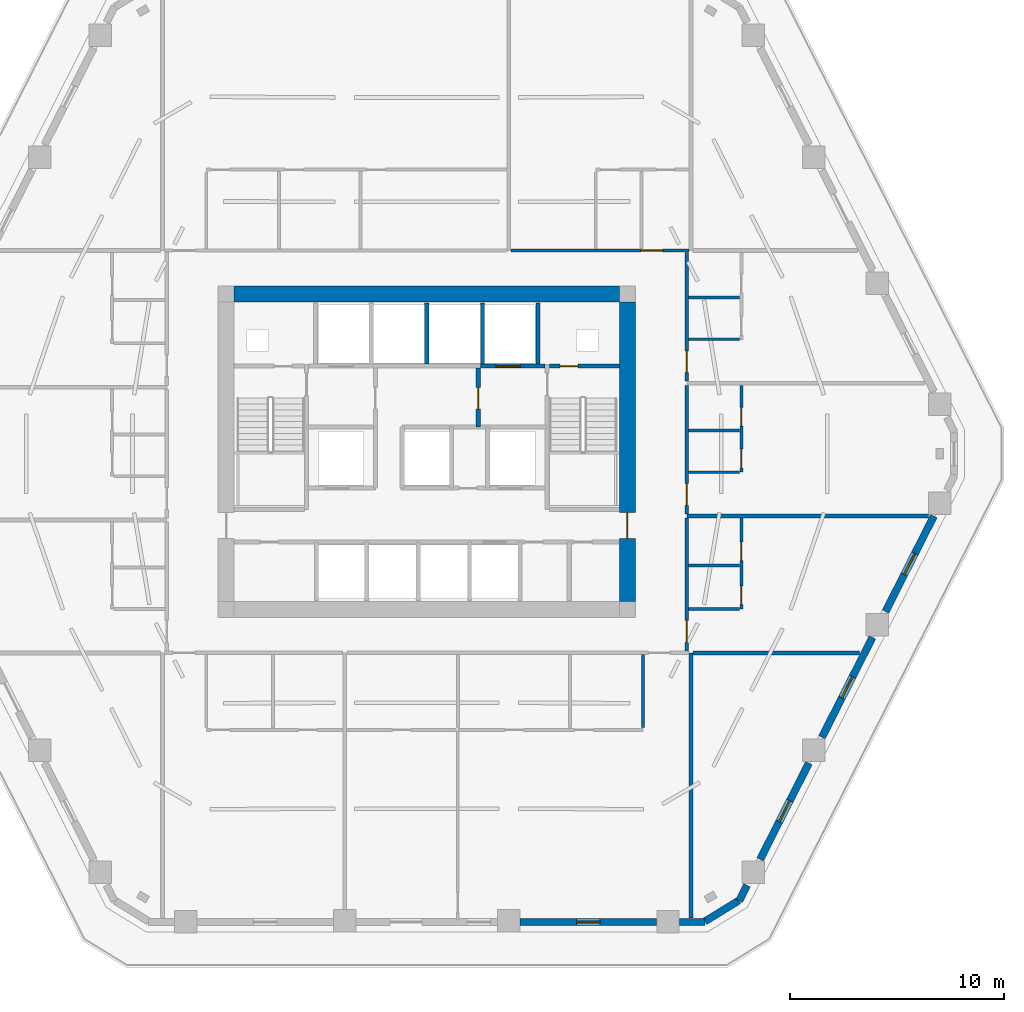
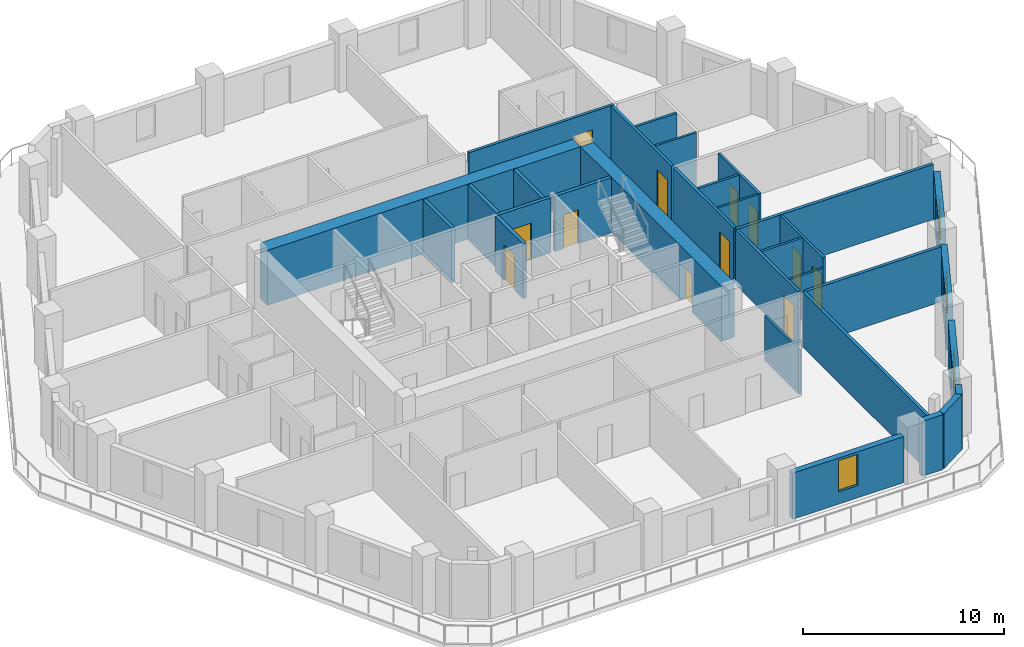
# One storey, part 5 of 10: 31 walls, 12 doors, 4 windows, 16 openings.
"""IFC4 building model written with IfcOpenShell, lengths in metres."""

from ifc_helpers import new_model, si_unit, direction, frame, frame_2d, origin, place, context, subcontext, project, spatial, rectangle, extrude, material, layer, layer_set, type_object, element, fill, save


model = new_model("IFC4")

# Units and contexts
model_context = context("Model", 3, precision=1e-05, world=origin(), true_north=direction((0.0, 1.0)))
body_context = subcontext(model_context, "Body", "Model", "MODEL_VIEW")
ifc_project = project(units=[si_unit("LENGTHUNIT", "METRE"), si_unit("AREAUNIT", "SQUARE_METRE"), si_unit("VOLUMEUNIT", "CUBIC_METRE"), si_unit("PLANEANGLEUNIT", "RADIAN"), si_unit("MASSUNIT", "GRAM", prefix="KILO")], contexts=[model_context])

# Site, building, storey
site_placement = place(None, origin())
site = spatial("IfcSite", under=ifc_project, at=site_placement, CompositionType="ELEMENT")
building_placement = place(site_placement, origin())
building = spatial("IfcBuilding", under=site, at=building_placement, Name="Cinnabar Lancet Tower", CompositionType="ELEMENT")
storey_placement = place(building_placement, frame((0.0, 0.0, 98.39990234375)))
storey = spatial("IfcBuildingStorey", under=building, at=storey_placement, Name="L25", CompositionType="ELEMENT", Elevation=98.39990234375)

# Wall, opening, door
ifc_material_1 = material(Name="Acoustic twin-stud gypsum partition", Category="gypsum")
ifc_layer_1 = layer(ifc_material_1, 0.159912109375)
ifc_layer_set_1 = layer_set([ifc_layer_1], Name="Acoustic twin-stud gypsum partition")
wall_type_1 = type_object("IfcWallType", Name="ARC-WL-CORR-160", PredefinedType="PARTITIONING", material=ifc_layer_set_1)
wall_1_placement = place(storey_placement, frame((36.326904296875, 35.300048828125, 0.0), z_axis=(0.0, 0.0, 1.0), x_axis=(1.0, 0.0, 0.0)))
wall_1 = element("IfcWall", 1, at=wall_1_placement, inside=storey, type_object=wall_type_1, Name="L25 Unit N02 Corridor Wall", PredefinedType="PARTITIONING", context=body_context, shape_type="SweptSolid", body=[
    extrude(rectangle(XDim=8.328125, YDim=0.159912109375, at=frame_2d((4.1640625, 0.0))), origin(), (0.0, 0.0, 1.0), 3.340087890625),
])
opening_1_placement = place(wall_1_placement, frame((6.072998046875, 0.0, 0.0)))
opening_1 = element("IfcOpeningElement", 2, at=opening_1_placement, cuts=wall_1, Name="Opening UD-01", PredefinedType="OPENING", context=body_context, shape_type="SweptSolid", body=[
    extrude(rectangle(XDim=1.02001953125, YDim=2.25, at=frame_2d((0.510009765625, 1.125))), frame((0.0, 0.08984375, 0.0), z_axis=(0.0, -1.0, 0.0), x_axis=(1.0, 0.0, 0.0)), (0.0, 0.0, 1.0), 0.179931640625),
])
ifc_material_2 = material(Name="Solid timber fire-rated apartment entrance door", Category="wood")
door_type_1 = type_object("IfcDoorType", Name="ARC-DR-UNIT", OperationType="NOTDEFINED", PredefinedType="DOOR", material=ifc_material_2)
door_1_placement = place(opening_1_placement, origin())
door_1 = element("IfcDoor", 3, at=door_1_placement, inside=storey, type_object=door_type_1, Name="DR-L25-N02-ENT", OperationType="SINGLE_SWING_RIGHT", OverallHeight=2.25, OverallWidth=1.02001953125, PredefinedType="DOOR", context=body_context, shape_type="SweptSolid", body=[
    extrude(rectangle(XDim=1.02001953125, YDim=2.25, at=frame_2d((0.510009765625, 1.125))), frame((0.0, 0.02490234375, 0.0), z_axis=(0.0, -1.0, 0.0), x_axis=(1.0, 0.0, 0.0)), (0.0, 0.0, 1.0), 0.050048828125),
])
fill(opening_1, door_1)

wall_2_placement = place(storey_placement, frame((44.550048828125, 16.594970703125, 0.0), z_axis=(0.0, 0.0, 1.0), x_axis=(0.0, 1.0, 0.0)))
wall_2 = element("IfcWall", 4, at=wall_2_placement, inside=storey, type_object=wall_type_1, Name="UW-L25-E01-COR", PredefinedType="PARTITIONING", context=body_context, shape_type="SweptSolid", body=[
    extrude(rectangle(XDim=6.2021484375, YDim=0.159912109375, at=frame_2d((3.10107421875, 0.0))), origin(), (0.0, 0.0, 1.0), 3.340087890625),
])
opening_2_placement = place(wall_2_placement, frame((0.39990234375, 0.0, 0.0)))
opening_2 = element("IfcOpeningElement", 5, at=opening_2_placement, cuts=wall_2, Name="Opening UD-01", PredefinedType="OPENING", context=body_context, shape_type="SweptSolid", body=[
    extrude(rectangle(XDim=1.02001953125, YDim=2.25, at=frame_2d((0.510009765625, 1.125))), frame((0.0, 0.08984375, 0.0), z_axis=(0.0, -1.0, 0.0), x_axis=(1.0, 0.0, 0.0)), (0.0, 0.0, 1.0), 0.179931640625),
])
door_2_placement = place(opening_2_placement, origin())
door_2 = element("IfcDoor", 6, at=door_2_placement, inside=storey, type_object=door_type_1, Name="DR-L25-E01-ENT", OperationType="SINGLE_SWING_LEFT", OverallHeight=2.25, OverallWidth=1.02001953125, PredefinedType="DOOR", context=body_context, shape_type="SweptSolid", body=[
    extrude(rectangle(XDim=1.02001953125, YDim=2.25, at=frame_2d((0.510009765625, 1.125))), frame((0.0, 0.02490234375, 0.0), z_axis=(0.0, -1.0, 0.0), x_axis=(1.0, 0.0, 0.0)), (0.0, 0.0, 1.0), 0.050048828125),
])
fill(opening_2, door_2)

wall_3_placement = place(storey_placement, frame((44.550048828125, 22.987060546875, 0.0), z_axis=(0.0, 0.0, 1.0), x_axis=(0.0, 1.0, 0.0)))
wall_3 = element("IfcWall", 7, at=wall_3_placement, inside=storey, type_object=wall_type_1, Name="UW-L25-E02-COR", PredefinedType="PARTITIONING", context=body_context, shape_type="SweptSolid", body=[
    extrude(rectangle(XDim=6.013916015625, YDim=0.159912109375, at=frame_2d((3.0068359375, 0.0))), origin(), (0.0, 0.0, 1.0), 3.340087890625),
])
opening_3_placement = place(wall_3_placement, frame((0.39990234375, 0.0, 0.0)))
opening_3 = element("IfcOpeningElement", 8, at=opening_3_placement, cuts=wall_3, Name="Opening UD-01", PredefinedType="OPENING", context=body_context, shape_type="SweptSolid", body=[
    extrude(rectangle(XDim=1.02001953125, YDim=2.25, at=frame_2d((0.510009765625, 1.125))), frame((0.0, 0.08984375, 0.0), z_axis=(0.0, -1.0, 0.0), x_axis=(1.0, 0.0, 0.0)), (0.0, 0.0, 1.0), 0.179931640625),
])
door_3_placement = place(opening_3_placement, origin())
door_3 = element("IfcDoor", 9, at=door_3_placement, inside=storey, type_object=door_type_1, Name="DR-L25-E02-ENT", OperationType="SINGLE_SWING_RIGHT", OverallHeight=2.25, OverallWidth=1.02001953125, PredefinedType="DOOR", context=body_context, shape_type="SweptSolid", body=[
    extrude(rectangle(XDim=1.02001953125, YDim=2.25, at=frame_2d((0.510009765625, 1.125))), frame((0.0, 0.02490234375, 0.0), z_axis=(0.0, -1.0, 0.0), x_axis=(1.0, 0.0, 0.0)), (0.0, 0.0, 1.0), 0.050048828125),
])
fill(opening_3, door_3)

wall_4_placement = place(storey_placement, frame((44.550048828125, 29.19091796875, 0.0), z_axis=(0.0, 0.0, 1.0), x_axis=(0.0, 1.0, 0.0)))
wall_4 = element("IfcWall", 10, at=wall_4_placement, inside=storey, type_object=wall_type_1, Name="UW-L25-E03-COR", PredefinedType="PARTITIONING", context=body_context, shape_type="SweptSolid", body=[
    extrude(rectangle(XDim=6.01416015625, YDim=0.159912109375, at=frame_2d((3.007080078125, 0.0))), origin(), (0.0, 0.0, 1.0), 3.340087890625),
])
opening_4_placement = place(wall_4_placement, frame((0.39990234375, 0.0, 0.0)))
opening_4 = element("IfcOpeningElement", 11, at=opening_4_placement, cuts=wall_4, Name="Opening UD-01", PredefinedType="OPENING", context=body_context, shape_type="SweptSolid", body=[
    extrude(rectangle(XDim=1.02001953125, YDim=2.25, at=frame_2d((0.510009765625, 1.125))), frame((0.0, 0.08984375, 0.0), z_axis=(0.0, -1.0, 0.0), x_axis=(1.0, 0.0, 0.0)), (0.0, 0.0, 1.0), 0.179931640625),
])
door_4_placement = place(opening_4_placement, origin())
door_4 = element("IfcDoor", 12, at=door_4_placement, inside=storey, type_object=door_type_1, Name="DR-L25-E03-ENT", OperationType="SINGLE_SWING_LEFT", OverallHeight=2.25, OverallWidth=1.02001953125, PredefinedType="DOOR", context=body_context, shape_type="SweptSolid", body=[
    extrude(rectangle(XDim=1.02001953125, YDim=2.25, at=frame_2d((0.510009765625, 1.125))), frame((0.0, 0.02490234375, 0.0), z_axis=(0.0, -1.0, 0.0), x_axis=(1.0, 0.0, 0.0)), (0.0, 0.0, 1.0), 0.050048828125),
])
fill(opening_4, door_4)

# Walls
ifc_material_3 = material(Name="Fire-rated twin-frame acoustic drywall", Category="gypsum")
ifc_layer_2 = layer(ifc_material_3, 0.179931640625)
ifc_layer_set_2 = layer_set([ifc_layer_2], Name="Fire-rated twin-frame acoustic drywall")
wall_type_2 = type_object("IfcWallType", Name="ARC-WL-PARTY-180", PredefinedType="PARTITIONING", material=ifc_layer_set_2)
wall_5_placement = place(storey_placement, frame((44.75, 4.10498046875, 0.0), z_axis=(0.0, 0.0, 1.0), x_axis=(0.0, 1.0, 0.0)))
element("IfcWall", 13, at=wall_5_placement, inside=storey, type_object=wall_type_2, Name="PW-L25-SPTY-448", PredefinedType="PARTITIONING", context=body_context, shape_type="SweptSolid", body=[
    extrude(rectangle(XDim=12.39501953125, YDim=0.179931640625, at=frame_2d((6.197509765625, 0.0))), origin(), (0.0, 0.0, 1.0), 3.340087890625),
])
wall_6_placement = place(storey_placement, frame((44.844970703125, 16.5, 0.0), z_axis=(0.0, 0.0, 1.0), x_axis=(1.0, 0.0, 0.0)))
element("IfcWall", 14, at=wall_6_placement, inside=storey, type_object=wall_type_2, Name="PW-L25-ESB", PredefinedType="PARTITIONING", context=body_context, shape_type="SweptSolid", body=[
    extrude(rectangle(XDim=7.77001953125, YDim=0.179931640625, at=frame_2d((3.885009765625, 0.0))), origin(), (0.0, 0.0, 1.0), 3.340087890625),
])
wall_7_placement = place(storey_placement, frame((44.550048828125, 22.89208984375, 0.0), z_axis=(0.0, 0.0, 1.0), x_axis=(1.0, 0.0, 0.0)))
element("IfcWall", 15, at=wall_7_placement, inside=storey, type_object=wall_type_2, Name="PW-L25-EPTY-1", PredefinedType="PARTITIONING", context=body_context, shape_type="SweptSolid", body=[
    extrude(rectangle(XDim=11.299072265625, YDim=0.179931640625, at=frame_2d((5.6494140625, 0.0))), origin(), (0.0, 0.0, 1.0), 3.340087890625),
])

# Wall, opening, door
ifc_material_4 = material(Name="Autoclaved aerated concrete blockwork", Category="masonry")
ifc_layer_3 = layer(ifc_material_4, 0.199951171875)
ifc_layer_set_3 = layer_set([ifc_layer_3], Name="Autoclaved aerated concrete blockwork")
wall_type_3 = type_object("IfcWallType", Name="ARC-WL-SHAFT-200", PredefinedType="PLUMBINGWALL", material=ifc_layer_set_3)
wall_8_placement = place(storey_placement, frame((34.89990234375, 29.89990234375, 0.0), z_axis=(0.0, 0.0, 1.0), x_axis=(1.0, 0.0, 0.0)))
wall_8 = element("IfcWall", 16, at=wall_8_placement, inside=storey, type_object=wall_type_3, Name="CW-FL2-L25", PredefinedType="PLUMBINGWALL", context=body_context, shape_type="SweptSolid", body=[
    extrude(rectangle(XDim=3.01513671875, YDim=0.199951171875, at=frame_2d((1.507568359375, 0.0))), origin(), (0.0, 0.0, 1.0), 3.340087890625),
])
opening_5_placement = place(wall_8_placement, frame((0.72509765625, 0.0, 0.0)))
opening_5 = element("IfcOpeningElement", 17, at=opening_5_placement, cuts=wall_8, Name="Opening LD-02", PredefinedType="OPENING", context=body_context, shape_type="SweptSolid", body=[
    extrude(rectangle(XDim=1.14990234375, YDim=2.199951171875, at=frame_2d((0.574951171875, 1.10009765625))), frame((0.0, 0.10986328125, 0.0), z_axis=(0.0, -1.0, 0.0), x_axis=(1.0, 0.0, 0.0)), (0.0, 0.0, 1.0), 0.219970703125),
])
ifc_material_5 = material(Name="Fire-rated stainless steel firefighting lift landing door", Category="steel")
door_type_2 = type_object("IfcDoorType", Name="ARC-DR-LD-FIRE", OperationType="NOTDEFINED", PredefinedType="DOOR", material=ifc_material_5)
door_5_placement = place(opening_5_placement, origin())
door_5 = element("IfcDoor", 18, at=door_5_placement, inside=storey, type_object=door_type_2, Name="L25 Firefighting Lift FL-2 Landing Door", OperationType="DOUBLE_DOOR_SLIDING", OverallHeight=2.199951171875, OverallWidth=1.14990234375, PredefinedType="DOOR", context=body_context, shape_type="SweptSolid", body=[
    extrude(rectangle(XDim=1.14990234375, YDim=2.199951171875, at=frame_2d((0.574951171875, 1.10009765625))), frame((0.0, 0.02490234375, 0.0), z_axis=(0.0, -1.0, 0.0), x_axis=(1.0, 0.0, 0.0)), (0.0, 0.0, 1.0), 0.050048828125),
])
fill(opening_5, door_5)

wall_9_placement = place(storey_placement, frame((38.125, 29.89990234375, 0.0), z_axis=(0.0, 0.0, 1.0), x_axis=(1.0, 0.0, 0.0)))
wall_9 = element("IfcWall", 19, at=wall_9_placement, inside=storey, type_object=wall_type_3, Name="CW-NSH-E-L25", PredefinedType="PLUMBINGWALL", context=body_context, shape_type="SweptSolid", body=[
    extrude(rectangle(XDim=3.27001953125, YDim=0.199951171875, at=frame_2d((1.635009765625, 0.0))), origin(), (0.0, 0.0, 1.0), 3.340087890625),
])
opening_6_placement = place(wall_9_placement, frame((0.5, 0.0, 0.0)))
opening_6 = element("IfcOpeningElement", 20, at=opening_6_placement, cuts=wall_9, Name="Opening PD-02", PredefinedType="OPENING", context=body_context, shape_type="SweptSolid", body=[
    extrude(rectangle(XDim=0.85009765625, YDim=2.050048828125, at=frame_2d((0.425048828125, 1.02490234375))), frame((0.0, 0.10986328125, 0.0), z_axis=(0.0, -1.0, 0.0), x_axis=(1.0, 0.0, 0.0)), (0.0, 0.0, 1.0), 0.219970703125),
])
ifc_material_6 = material(Name="Fire-rated steel riser access door", Category="steel")
door_type_3 = type_object("IfcDoorType", Name="ARC-DR-RISER", OperationType="NOTDEFINED", PredefinedType="DOOR", material=ifc_material_6)
door_6_placement = place(opening_6_placement, origin())
door_6 = element("IfcDoor", 21, at=door_6_placement, inside=storey, type_object=door_type_3, Name="L25 East Riser Access Door", OperationType="SINGLE_SWING_RIGHT", OverallHeight=2.050048828125, OverallWidth=0.85009765625, PredefinedType="DOOR", context=body_context, shape_type="SweptSolid", body=[
    extrude(rectangle(XDim=0.85009765625, YDim=2.050048828125, at=frame_2d((0.425048828125, 1.02490234375))), frame((0.0, 0.02490234375, 0.0), z_axis=(0.0, -1.0, 0.0), x_axis=(1.0, 0.0, 0.0)), (0.0, 0.0, 1.0), 0.050048828125),
])
fill(opening_6, door_6)

# Walls
for number, where, z_axis, x_axis, name in (
    (22, (32.39990234375, 30.0, 0.0), (0.0, 0.0, 1.0), (0.0, 1.0, 0.0), "CW-NSH-D3-L25"),
    (23, (35.0, 30.0, 0.0), (0.0, 0.0, 1.0), (0.0, 1.0, 0.0), "CW-NSH-D4-L25"),
    (24, (37.60009765625, 30.0, 0.0), (0.0, 0.0, 1.0), (0.0, 1.0, 0.0), "CW-NSH-D5-L25"),
):
    element("IfcWall", number, at=place(storey_placement, frame(where, z_axis=z_axis, x_axis=x_axis)), inside=storey, type_object=wall_type_3, Name=name, PredefinedType="PLUMBINGWALL", context=body_context, shape_type="SweptSolid", body=[
        extrude(rectangle(XDim=2.85009765625, YDim=0.199951171875, at=frame_2d((1.425048828125, 0.0))), origin(), (0.0, 0.0, 1.0), 3.340087890625),
    ])

# Wall, opening, door
wall_10_placement = place(storey_placement, frame((34.800048828125, 27.050048828125, 0.0), z_axis=(0.0, 0.0, 1.0), x_axis=(0.0, 1.0, 0.0)))
wall_10 = element("IfcWall", 25, at=wall_10_placement, inside=storey, type_object=wall_type_3, Name="CW-FF2W-L25", PredefinedType="PLUMBINGWALL", context=body_context, shape_type="SweptSolid", body=[
    extrude(rectangle(XDim=2.75, YDim=0.199951171875, at=frame_2d((1.375, 0.0))), origin(), (0.0, 0.0, 1.0), 3.340087890625),
])
opening_7_placement = place(wall_10_placement, frame((0.85009765625, 0.0, 0.0)))
opening_7 = element("IfcOpeningElement", 26, at=opening_7_placement, cuts=wall_10, Name="Opening FD-01", PredefinedType="OPENING", context=body_context, shape_type="SweptSolid", body=[
    extrude(rectangle(XDim=1.0, YDim=2.14990234375, at=frame_2d((0.5, 1.074951171875))), frame((0.0, 0.10986328125, 0.0), z_axis=(0.0, -1.0, 0.0), x_axis=(1.0, 0.0, 0.0)), (0.0, 0.0, 1.0), 0.219970703125),
])
ifc_material_7 = material(Name="Fire-rated timber-core lobby door", Category="wood")
door_type_4 = type_object("IfcDoorType", Name="ARC-DR-FFAL", OperationType="NOTDEFINED", PredefinedType="DOOR", material=ifc_material_7)
door_7_placement = place(opening_7_placement, origin())
door_7 = element("IfcDoor", 27, at=door_7_placement, inside=storey, type_object=door_type_4, Name="L25 FFAL-2 Lobby Fire Door", OperationType="SINGLE_SWING_LEFT", OverallHeight=2.14990234375, OverallWidth=1.0, PredefinedType="DOOR", context=body_context, shape_type="SweptSolid", body=[
    extrude(rectangle(XDim=1.0, YDim=2.14990234375, at=frame_2d((0.5, 1.074951171875))), frame((0.0, 0.02490234375, 0.0), z_axis=(0.0, -1.0, 0.0), x_axis=(1.0, 0.0, 0.0)), (0.0, 0.0, 1.0), 0.050048828125),
])
fill(opening_7, door_7)

# Walls
ifc_material_8 = material(Name="Gypsum plasterboard stud partition", Category="gypsum")
ifc_layer_4 = layer(ifc_material_8, 0.125)
ifc_layer_set_4 = layer_set([ifc_layer_4], Name="Gypsum plasterboard stud partition")
wall_type_4 = type_object("IfcWallType", Name="ARC-WL-UNIT-125", PredefinedType="PARTITIONING", material=ifc_layer_set_4)
wall_11_placement = place(storey_placement, frame((42.5, 13.010009765625, 0.0), z_axis=(0.0, 0.0, 1.0), x_axis=(0.0, 1.0, 0.0)))
element("IfcWall", 28, at=wall_11_placement, inside=storey, type_object=wall_type_4, Name="UW-L25-S02-FOYW", PredefinedType="PARTITIONING", context=body_context, shape_type="SweptSolid", body=[
    extrude(rectangle(XDim=3.405029296875, YDim=0.125, at=frame_2d((1.70263671875, 0.0))), origin(), (0.0, 0.0, 1.0), 2.72216796875),
])
wall_12_placement = place(storey_placement, frame((44.635009765625, 18.550048828125, 0.0), z_axis=(0.0, 0.0, 1.0), x_axis=(1.0, 0.0, 0.0)))
element("IfcWall", 29, at=wall_12_placement, inside=storey, type_object=wall_type_4, Name="UW-L25-E01-FOYN", PredefinedType="PARTITIONING", context=body_context, shape_type="SweptSolid", body=[
    extrude(rectangle(XDim=2.3798828125, YDim=0.125, at=frame_2d((1.18994140625, 0.0))), origin(), (0.0, 0.0, 1.0), 2.72216796875),
])
for number, where, z_axis, x_axis, name in (
    (30, (44.635009765625, 24.94189453125, 0.0), (0.0, 0.0, 1.0), (1.0, 0.0, 0.0), "UW-L25-E02-FOYN"),
    (31, (44.635009765625, 31.14599609375, 0.0), (0.0, 0.0, 1.0), (1.0, 0.0, 0.0), "UW-L25-E03-FOYN"),
):
    element("IfcWall", number, at=place(storey_placement, frame(where, z_axis=z_axis, x_axis=x_axis)), inside=storey, type_object=wall_type_4, Name=name, PredefinedType="PARTITIONING", context=body_context, shape_type="SweptSolid", body=[
        extrude(rectangle(XDim=2.3798828125, YDim=0.125, at=frame_2d((1.18994140625, 0.0))), origin(), (0.0, 0.0, 1.0), 3.340087890625),
    ])

# Wall, openings, doors
ifc_material_9 = material(Name="Moisture-resistant cement-board plumbing wall", Category="masonry")
ifc_layer_5 = layer(ifc_material_9, 0.139892578125)
ifc_layer_set_5 = layer_set([ifc_layer_5], Name="Moisture-resistant cement-board plumbing wall")
wall_type_5 = type_object("IfcWallType", Name="ARC-WL-WET-140", PredefinedType="PLUMBINGWALL", material=ifc_layer_set_5)
wall_13_placement = place(storey_placement, frame((47.10009765625, 18.550048828125, 0.0), z_axis=(0.0, 0.0, 1.0), x_axis=(0.0, 1.0, 0.0)))
wall_13 = element("IfcWall", 32, at=wall_13_placement, inside=storey, type_object=wall_type_5, Name="UW-L25-E01-SPL", PredefinedType="PLUMBINGWALL", context=body_context, shape_type="SweptSolid", body=[
    extrude(rectangle(XDim=4.2470703125, YDim=0.139892578125, at=frame_2d((2.12353515625, 0.0))), origin(), (0.0, 0.0, 1.0), 3.340087890625),
])
opening_8_placement = place(wall_13_placement, frame((2.259033203125, 0.0, 0.0)))
opening_8 = element("IfcOpeningElement", 33, at=opening_8_placement, cuts=wall_13, Name="Opening BD-01", PredefinedType="OPENING", context=body_context, shape_type="SweptSolid", body=[
    extrude(rectangle(XDim=0.860107421875, YDim=2.10009765625, at=frame_2d((0.43017578125, 1.050048828125))), frame((0.0, 0.079833984375, 0.0), z_axis=(0.0, -1.0, 0.0), x_axis=(1.0, 0.0, 0.0)), (0.0, 0.0, 1.0), 0.159912109375),
])
opening_9_placement = place(wall_13_placement, frame((0.199951171875, 0.0, 0.0)))
opening_9 = element("IfcOpeningElement", 34, at=opening_9_placement, cuts=wall_13, Name="Opening RD-02", PredefinedType="OPENING", context=body_context, shape_type="SweptSolid", body=[
    extrude(rectangle(XDim=0.8798828125, YDim=2.14990234375, at=frame_2d((0.43994140625, 1.074951171875))), frame((0.0, 0.079833984375, 0.0), z_axis=(0.0, -1.0, 0.0), x_axis=(1.0, 0.0, 0.0)), (0.0, 0.0, 1.0), 0.159912109375),
])
ifc_material_10 = material(Name="Moisture-resistant timber bathroom door", Category="wood")
door_type_5 = type_object("IfcDoorType", Name="ARC-DR-BATH", OperationType="NOTDEFINED", PredefinedType="DOOR", material=ifc_material_10)
door_8_placement = place(opening_8_placement, origin())
door_8 = element("IfcDoor", 35, at=door_8_placement, inside=storey, type_object=door_type_5, Name="DR-L25-E01-BTH", OperationType="SINGLE_SWING_LEFT", OverallHeight=2.10009765625, OverallWidth=0.860107421875, PredefinedType="DOOR", context=body_context, shape_type="SweptSolid", body=[
    extrude(rectangle(XDim=0.860107421875, YDim=2.10009765625, at=frame_2d((0.43017578125, 1.050048828125))), frame((0.0, 0.02490234375, 0.0), z_axis=(0.0, -1.0, 0.0), x_axis=(1.0, 0.0, 0.0)), (0.0, 0.0, 1.0), 0.050048828125),
])
fill(opening_8, door_8)
ifc_material_11 = material(Name="Engineered timber study door", Category="wood")
door_type_6 = type_object("IfcDoorType", Name="ARC-DR-STUDY", OperationType="NOTDEFINED", PredefinedType="DOOR", material=ifc_material_11)
door_9_placement = place(opening_9_placement, origin())
door_9 = element("IfcDoor", 36, at=door_9_placement, inside=storey, type_object=door_type_6, Name="DR-L25-E01-KIT", OperationType="SINGLE_SWING_RIGHT", OverallHeight=2.14990234375, OverallWidth=0.8798828125, PredefinedType="DOOR", context=body_context, shape_type="SweptSolid", body=[
    extrude(rectangle(XDim=0.8798828125, YDim=2.14990234375, at=frame_2d((0.43994140625, 1.074951171875))), frame((0.0, 0.02490234375, 0.0), z_axis=(0.0, -1.0, 0.0), x_axis=(1.0, 0.0, 0.0)), (0.0, 0.0, 1.0), 0.050048828125),
])
fill(opening_9, door_9)

# Wall
wall_14_placement = place(storey_placement, frame((44.635009765625, 20.589111328125, 0.0), z_axis=(0.0, 0.0, 1.0), x_axis=(1.0, 0.0, 0.0)))
element("IfcWall", 37, at=wall_14_placement, inside=storey, type_object=wall_type_5, Name="UW-L25-E01-KDV", PredefinedType="PLUMBINGWALL", context=body_context, shape_type="SweptSolid", body=[
    extrude(rectangle(XDim=2.3798828125, YDim=0.139892578125, at=frame_2d((1.18994140625, 0.0))), origin(), (0.0, 0.0, 1.0), 3.340087890625),
])

# Wall, openings, doors
wall_15_placement = place(storey_placement, frame((47.10009765625, 24.94189453125, 0.0), z_axis=(0.0, 0.0, 1.0), x_axis=(0.0, 1.0, 0.0)))
wall_15 = element("IfcWall", 38, at=wall_15_placement, inside=storey, type_object=wall_type_5, Name="UW-L25-E02-SPL", PredefinedType="PLUMBINGWALL", context=body_context, shape_type="SweptSolid", body=[
    extrude(rectangle(XDim=4.05908203125, YDim=0.139892578125, at=frame_2d((2.029541015625, 0.0))), origin(), (0.0, 0.0, 1.0), 3.340087890625),
])
opening_10_placement = place(wall_15_placement, frame((2.16796875, 0.0, 0.0)))
opening_10 = element("IfcOpeningElement", 39, at=opening_10_placement, cuts=wall_15, Name="Opening BD-01", PredefinedType="OPENING", context=body_context, shape_type="SweptSolid", body=[
    extrude(rectangle(XDim=0.860107421875, YDim=2.10009765625, at=frame_2d((0.43017578125, 1.050048828125))), frame((0.0, 0.079833984375, 0.0), z_axis=(0.0, -1.0, 0.0), x_axis=(1.0, 0.0, 0.0)), (0.0, 0.0, 1.0), 0.159912109375),
])
opening_11_placement = place(wall_15_placement, frame((0.199951171875, 0.0, 0.0)))
opening_11 = element("IfcOpeningElement", 40, at=opening_11_placement, cuts=wall_15, Name="Opening RD-02", PredefinedType="OPENING", context=body_context, shape_type="SweptSolid", body=[
    extrude(rectangle(XDim=0.8798828125, YDim=2.14990234375, at=frame_2d((0.43994140625, 1.074951171875))), frame((0.0, 0.079833984375, 0.0), z_axis=(0.0, -1.0, 0.0), x_axis=(1.0, 0.0, 0.0)), (0.0, 0.0, 1.0), 0.159912109375),
])
door_10_placement = place(opening_10_placement, origin())
door_10 = element("IfcDoor", 41, at=door_10_placement, inside=storey, type_object=door_type_5, Name="DR-L25-E02-BTH", OperationType="SINGLE_SWING_RIGHT", OverallHeight=2.10009765625, OverallWidth=0.860107421875, PredefinedType="DOOR", context=body_context, shape_type="SweptSolid", body=[
    extrude(rectangle(XDim=0.860107421875, YDim=2.10009765625, at=frame_2d((0.43017578125, 1.050048828125))), frame((0.0, 0.02490234375, 0.0), z_axis=(0.0, -1.0, 0.0), x_axis=(1.0, 0.0, 0.0)), (0.0, 0.0, 1.0), 0.050048828125),
])
fill(opening_10, door_10)
door_11_placement = place(opening_11_placement, origin())
door_11 = element("IfcDoor", 42, at=door_11_placement, inside=storey, type_object=door_type_6, Name="DR-L25-E02-KIT", OperationType="SINGLE_SWING_LEFT", OverallHeight=2.14990234375, OverallWidth=0.8798828125, PredefinedType="DOOR", context=body_context, shape_type="SweptSolid", body=[
    extrude(rectangle(XDim=0.8798828125, YDim=2.14990234375, at=frame_2d((0.43994140625, 1.074951171875))), frame((0.0, 0.02490234375, 0.0), z_axis=(0.0, -1.0, 0.0), x_axis=(1.0, 0.0, 0.0)), (0.0, 0.0, 1.0), 0.050048828125),
])
fill(opening_11, door_11)

# Walls
for number, where, z_axis, x_axis, name in (
    (43, (44.635009765625, 26.889892578125, 0.0), (0.0, 0.0, 1.0), (1.0, 0.0, 0.0), "UW-L25-E02-KDV"),
    (44, (44.635009765625, 33.093994140625, 0.0), (0.0, 0.0, 1.0), (1.0, 0.0, 0.0), "UW-L25-E03-KDV"),
):
    element("IfcWall", number, at=place(storey_placement, frame(where, z_axis=z_axis, x_axis=x_axis)), inside=storey, type_object=wall_type_5, Name=name, PredefinedType="PLUMBINGWALL", context=body_context, shape_type="SweptSolid", body=[
        extrude(rectangle(XDim=2.3798828125, YDim=0.139892578125, at=frame_2d((1.18994140625, 0.0))), origin(), (0.0, 0.0, 1.0), 3.340087890625),
    ])
ifc_material_12 = material(Name="Cinnabar red clay brick", Category="masonry")
ifc_layer_6 = layer(ifc_material_12, 0.340087890625)
ifc_layer_set_6 = layer_set([ifc_layer_6], Name="Cinnabar red clay brick")
wall_type_6 = type_object("IfcWallType", Name="ENV-WL-BRK-RED-340", PredefinedType="STANDARD", material=ifc_layer_set_6)
wall_16_placement = place(storey_placement, frame((45.39697265625, 3.955078125, 0.0), z_axis=(0.0, 0.0, 1.0), x_axis=(0.851798915137, 0.523868884523, 0.0)))
element("IfcWall", 45, at=wall_16_placement, inside=storey, type_object=wall_type_6, Name="L25 Chamfered Corner Brick Pier 2.1", PredefinedType="STANDARD", context=body_context, shape_type="SweptSolid", body=[
    extrude(rectangle(XDim=1.847900390625, YDim=0.340087890625, at=frame_2d((0.923828125, 0.0))), origin(), (0.0, 0.0, 1.0), 3.340087890625),
])

# Wall, opening, window
wall_17_placement = place(storey_placement, frame((36.760986328125, 3.929931640625, 0.0), z_axis=(0.0, 0.0, 1.0), x_axis=(1.0, 0.0, 0.0)))
wall_17 = element("IfcWall", 46, at=wall_17_placement, inside=storey, type_object=wall_type_6, Name="L25 Face 1 Masonry Bay Wall 4", PredefinedType="STANDARD", context=body_context, shape_type="SweptSolid", body=[
    extrude(rectangle(XDim=6.37890625, YDim=0.340087890625, at=frame_2d((3.189453125, 0.0))), origin(), (0.0, 0.0, 1.0), 2.797119140625),
])
opening_12_placement = place(wall_17_placement, frame((2.638916015625, 0.0, 0.75)))
opening_12 = element("IfcOpeningElement", 47, at=opening_12_placement, cuts=wall_17, Name="Opening WN-04", PredefinedType="OPENING", context=body_context, shape_type="SweptSolid", body=[
    extrude(rectangle(XDim=1.10009765625, YDim=1.89697265625, at=frame_2d((0.550048828125, 0.948486328125))), frame((0.0, 0.179931640625, 0.0), z_axis=(0.0, -1.0, 0.0), x_axis=(1.0, 0.0, 0.0)), (0.0, 0.0, 1.0), 0.360107421875),
])
ifc_material_13 = material(Name="Thermally broken bronze-anodized aluminium tall lancet window", Category="aluminium")
window_type = type_object("IfcWindowType", Name="ENV-WN-LANCET-1100", PartitioningType="SINGLE_PANEL", PredefinedType="WINDOW", material=ifc_material_13)
window_1_placement = place(opening_12_placement, origin())
window_1 = element("IfcWindow", 48, at=window_1_placement, inside=storey, type_object=window_type, Name="L25 Face 1 Gothic Lancet Window 4", OverallHeight=1.89697265625, OverallWidth=1.10009765625, PartitioningType="SINGLE_PANEL", PredefinedType="WINDOW", context=body_context, shape_type="SweptSolid", body=[
    extrude(rectangle(XDim=1.10009765625, YDim=1.89697265625, at=frame_2d((0.550048828125, 0.948486328125))), frame((0.0, 0.030029296875, 0.0), z_axis=(0.0, -1.0, 0.0), x_axis=(1.0, 0.0, 0.0)), (0.0, 0.0, 1.0), 0.06005859375),
])
fill(opening_12, window_1)

# Walls
wall_18_placement = place(storey_placement, frame((44.197998046875, 3.929931640625, 0.0), z_axis=(0.0, 0.0, 1.0), x_axis=(1.0, 0.0, 0.0)))
element("IfcWall", 49, at=wall_18_placement, inside=storey, type_object=wall_type_6, Name="L25 Face 1 Masonry Bay Wall 5", PredefinedType="STANDARD", context=body_context, shape_type="SweptSolid", body=[
    extrude(rectangle(XDim=1.2041015625, YDim=0.340087890625, at=frame_2d((0.60205078125, 0.0))), origin(), (0.0, 0.0, 1.0), 3.340087890625),
])
wall_19_placement = place(storey_placement, frame((46.990966796875, 4.906982421875, 0.0), z_axis=(0.0, 0.0, 1.0), x_axis=(0.45172514337, 0.892157158155, 0.0)))
element("IfcWall", 50, at=wall_19_placement, inside=storey, type_object=wall_type_6, Name="L25 Face 2 Masonry Bay Wall 1", PredefinedType="STANDARD", context=body_context, shape_type="SweptSolid", body=[
    extrude(rectangle(XDim=0.821533203125, YDim=0.340087890625, at=frame_2d((0.41064453125, 0.0))), origin(), (0.0, 0.0, 1.0), 3.340087890625),
])

# Wall, opening, window
wall_20_placement = place(storey_placement, frame((47.97509765625, 6.85205078125, 0.0), z_axis=(0.0, 0.0, 1.0), x_axis=(0.451548465867, 0.892246593142, 0.0)))
wall_20 = element("IfcWall", 51, at=wall_20_placement, inside=storey, type_object=wall_type_6, Name="L25 Face 2 Masonry Bay Wall 2", PredefinedType="STANDARD", context=body_context, shape_type="SweptSolid", body=[
    extrude(rectangle(XDim=5.040283203125, YDim=0.340087890625, at=frame_2d((2.52001953125, 0.0))), origin(), (0.0, 0.0, 1.0), 2.797119140625),
])
opening_13_placement = place(wall_20_placement, frame((1.969970703125, 0.0, 0.75)))
opening_13 = element("IfcOpeningElement", 52, at=opening_13_placement, cuts=wall_20, Name="Opening WN-04", PredefinedType="OPENING", context=body_context, shape_type="SweptSolid", body=[
    extrude(rectangle(XDim=1.10009765625, YDim=1.89697265625, at=frame_2d((0.550048828125, 0.948486328125))), frame((0.0, 0.179931640625, 0.0), z_axis=(0.0, -1.0, 0.0), x_axis=(1.0, 0.0, 0.0)), (0.0, 0.0, 1.0), 0.360107421875),
])
window_2_placement = place(opening_13_placement, origin())
window_2 = element("IfcWindow", 53, at=window_2_placement, inside=storey, type_object=window_type, Name="L25 Face 2 Gothic Lancet Window 2", OverallHeight=1.89697265625, OverallWidth=1.10009765625, PartitioningType="SINGLE_PANEL", PredefinedType="WINDOW", context=body_context, shape_type="SweptSolid", body=[
    extrude(rectangle(XDim=1.10009765625, YDim=1.89697265625, at=frame_2d((0.550048828125, 0.948486328125))), frame((0.0, 0.030029296875, 0.0), z_axis=(0.0, -1.0, 0.0), x_axis=(1.0, 0.0, 0.0)), (0.0, 0.0, 1.0), 0.06005859375),
])
fill(opening_13, window_2)

wall_21_placement = place(storey_placement, frame((50.863037109375, 12.56103515625, 0.0), z_axis=(0.0, 0.0, 1.0), x_axis=(0.451567731634, 0.892236842855, 0.0)))
wall_21 = element("IfcWall", 54, at=wall_21_placement, inside=storey, type_object=wall_type_6, Name="L25 Face 2 Masonry Bay Wall 3", PredefinedType="STANDARD", context=body_context, shape_type="SweptSolid", body=[
    extrude(rectangle(XDim=5.219482421875, YDim=0.340087890625, at=frame_2d((2.60986328125, 0.0))), origin(), (0.0, 0.0, 1.0), 2.797119140625),
])
opening_14_placement = place(wall_21_placement, frame((2.06005859375, 0.0, 0.75)))
opening_14 = element("IfcOpeningElement", 55, at=opening_14_placement, cuts=wall_21, Name="Opening WN-04", PredefinedType="OPENING", context=body_context, shape_type="SweptSolid", body=[
    extrude(rectangle(XDim=1.10009765625, YDim=1.89697265625, at=frame_2d((0.550048828125, 0.948486328125))), frame((0.0, 0.179931640625, 0.0), z_axis=(0.0, -1.0, 0.0), x_axis=(1.0, 0.0, 0.0)), (0.0, 0.0, 1.0), 0.360107421875),
])
window_3_placement = place(opening_14_placement, origin())
window_3 = element("IfcWindow", 56, at=window_3_placement, inside=storey, type_object=window_type, Name="L25 Face 2 Gothic Lancet Window 3", OverallHeight=1.89697265625, OverallWidth=1.10009765625, PartitioningType="SINGLE_PANEL", PredefinedType="WINDOW", context=body_context, shape_type="SweptSolid", body=[
    extrude(rectangle(XDim=1.10009765625, YDim=1.89697265625, at=frame_2d((0.550048828125, 0.948486328125))), frame((0.0, 0.030029296875, 0.0), z_axis=(0.0, -1.0, 0.0), x_axis=(1.0, 0.0, 0.0)), (0.0, 0.0, 1.0), 0.06005859375),
])
fill(opening_14, window_3)

wall_22_placement = place(storey_placement, frame((53.83203125, 18.427978515625, 0.0), z_axis=(0.0, 0.0, 1.0), x_axis=(0.451431617681, 0.892305718102, 0.0)))
wall_22 = element("IfcWall", 57, at=wall_22_placement, inside=storey, type_object=wall_type_6, Name="L25 Face 2 Masonry Bay Wall 4", PredefinedType="STANDARD", context=body_context, shape_type="SweptSolid", body=[
    extrude(rectangle(XDim=4.994873046875, YDim=0.340087890625, at=frame_2d((2.49755859375, 0.0))), origin(), (0.0, 0.0, 1.0), 2.797119140625),
])
opening_15_placement = place(wall_22_placement, frame((1.947021484375, 0.0, 0.75)))
opening_15 = element("IfcOpeningElement", 58, at=opening_15_placement, cuts=wall_22, Name="Opening WN-04", PredefinedType="OPENING", context=body_context, shape_type="SweptSolid", body=[
    extrude(rectangle(XDim=1.10009765625, YDim=1.89697265625, at=frame_2d((0.550048828125, 0.948486328125))), frame((0.0, 0.179931640625, 0.0), z_axis=(0.0, -1.0, 0.0), x_axis=(1.0, 0.0, 0.0)), (0.0, 0.0, 1.0), 0.360107421875),
])
window_4_placement = place(opening_15_placement, origin())
window_4 = element("IfcWindow", 59, at=window_4_placement, inside=storey, type_object=window_type, Name="L25 Face 2 Gothic Lancet Window 4", OverallHeight=1.89697265625, OverallWidth=1.10009765625, PartitioningType="SINGLE_PANEL", PredefinedType="WINDOW", context=body_context, shape_type="SweptSolid", body=[
    extrude(rectangle(XDim=1.10009765625, YDim=1.89697265625, at=frame_2d((0.550048828125, 0.948486328125))), frame((0.0, 0.030029296875, 0.0), z_axis=(0.0, -1.0, 0.0), x_axis=(1.0, 0.0, 0.0)), (0.0, 0.0, 1.0), 0.06005859375),
])
fill(opening_15, window_4)

# Wall
ifc_material_14 = material(Name="Concrete C70/85", Category="concrete")
ifc_layer_7 = layer(ifc_material_14, 0.75)
ifc_layer_set_7 = layer_set([ifc_layer_7], Name="Concrete C70/85")
wall_type_7 = type_object("IfcWallType", Name="STR-WL-CORE-750", PredefinedType="SHEAR", material=ifc_layer_set_7)
wall_23_placement = place(storey_placement, frame((23.39990234375, 33.27490234375, 0.0), z_axis=(0.0, 0.0, 1.0), x_axis=(1.0, 0.0, 0.0)))
element("IfcWall", 60, at=wall_23_placement, inside=storey, type_object=wall_type_7, Name="L25 Core Shear Wall N", PredefinedType="SHEAR", context=body_context, shape_type="SweptSolid", body=[
    extrude(rectangle(XDim=18.0, YDim=0.75, at=frame_2d((9.0, 0.0))), origin(), (0.0, 0.0, 1.0), 3.340087890625),
])

# Wall, opening, door
wall_24_placement = place(storey_placement, frame((41.77490234375, 18.89990234375, 0.0), z_axis=(0.0, 0.0, 1.0), x_axis=(0.0, 1.0, 0.0)))
wall_24 = element("IfcWall", 61, at=wall_24_placement, inside=storey, type_object=wall_type_7, Name="L25 Core Shear Wall E", PredefinedType="SHEAR", context=body_context, shape_type="SweptSolid", body=[
    extrude(rectangle(XDim=14.0, YDim=0.75, at=frame_2d((7.0, 0.0))), origin(), (0.0, 0.0, 1.0), 3.340087890625),
])
opening_16_placement = place(wall_24_placement, frame((2.93994140625, 0.0, 0.0)))
opening_16 = element("IfcOpeningElement", 62, at=opening_16_placement, cuts=wall_24, Name="Opening FD-02", PredefinedType="OPENING", context=body_context, shape_type="SweptSolid", body=[
    extrude(rectangle(XDim=1.219970703125, YDim=2.25, at=frame_2d((0.60986328125, 1.125))), frame((0.0, 0.385009765625, 0.0), z_axis=(0.0, -1.0, 0.0), x_axis=(1.0, 0.0, 0.0)), (0.0, 0.0, 1.0), 0.77001953125),
])
ifc_material_15 = material(Name="Fire-rated double-vision core portal door", Category="wood")
door_type_7 = type_object("IfcDoorType", Name="ARC-DR-CPORT", OperationType="NOTDEFINED", PredefinedType="DOOR", material=ifc_material_15)
door_12_placement = place(opening_16_placement, origin())
door_12 = element("IfcDoor", 63, at=door_12_placement, inside=storey, type_object=door_type_7, Name="L25 East Core Lobby Fire Door", OperationType="SINGLE_SWING_LEFT", OverallHeight=2.25, OverallWidth=1.219970703125, PredefinedType="DOOR", context=body_context, shape_type="SweptSolid", body=[
    extrude(rectangle(XDim=1.219970703125, YDim=2.25, at=frame_2d((0.60986328125, 1.125))), frame((0.0, 0.02490234375, 0.0), z_axis=(0.0, -1.0, 0.0), x_axis=(1.0, 0.0, 0.0)), (0.0, 0.0, 1.0), 0.050048828125),
])
fill(opening_16, door_12)

save(model, "model.ifc")
